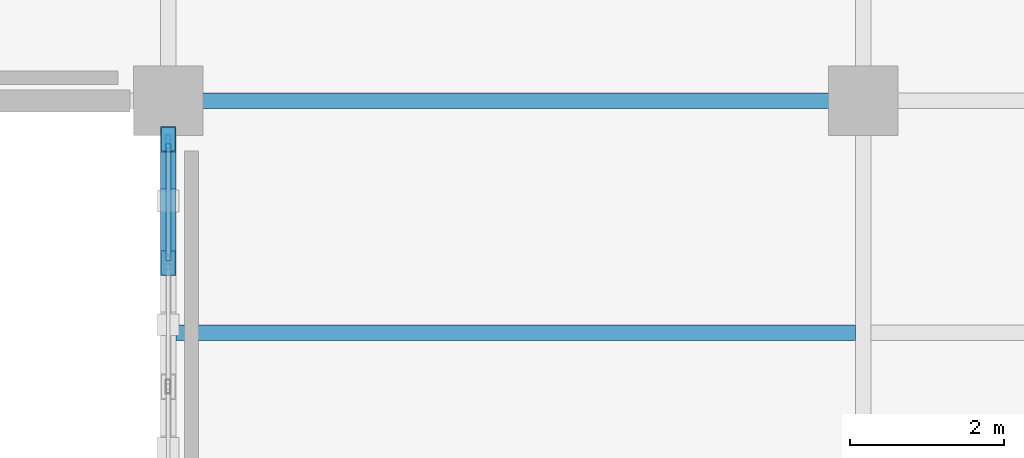
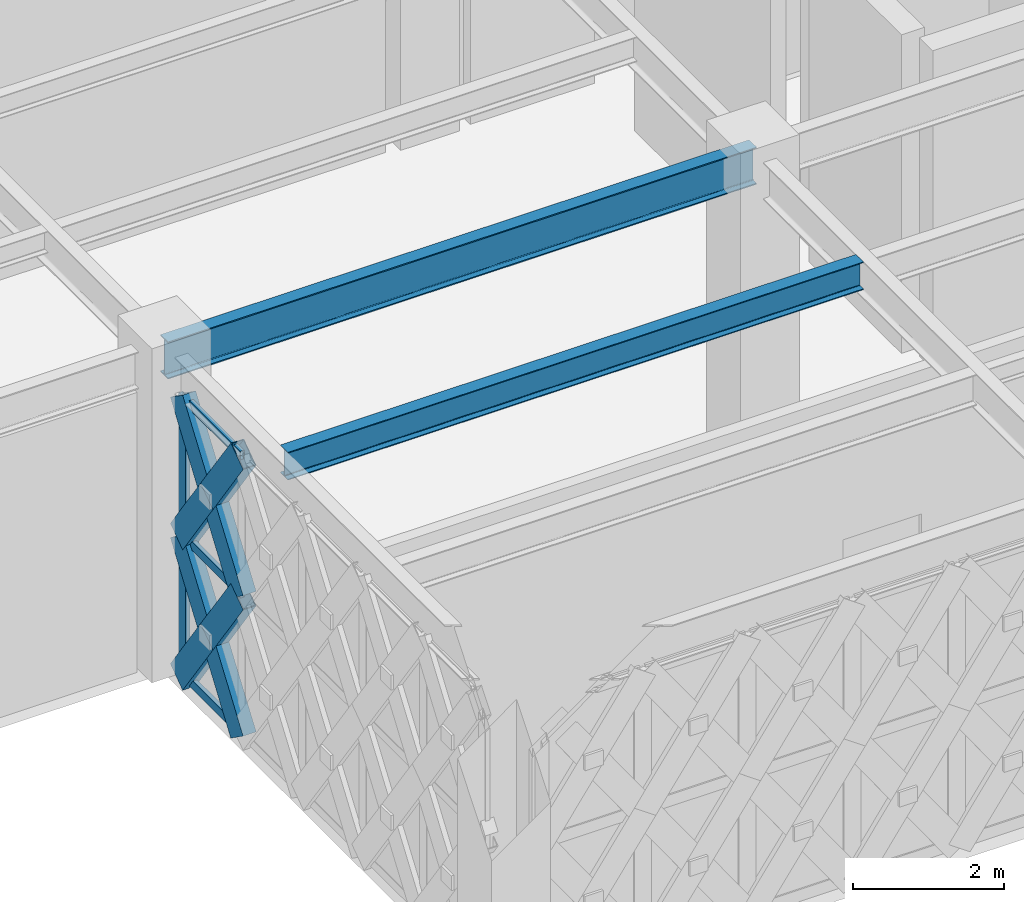
# One storey, part 13 of 166: 10 members, 2 beams, 1 element without a shape of its own.
"""IFC4 building model written with IfcOpenShell, lengths in metres."""

from ifc_helpers import new_model, si_unit, direction, frame, origin, origin_2d, place, context, subcontext, project, spatial, hollow_rectangle, i_section, extrude, material, material_profile, profile_set, type_object, element, aggregate, save


model = new_model("IFC4")

# Units and contexts
model_context = context("Model", 3, precision=1e-05, world=origin(), true_north=direction((0.0, 1.0)))
body_context = subcontext(model_context, "Body", "Model", "MODEL_VIEW")
ifc_project = project(units=[si_unit("LENGTHUNIT", "METRE"), si_unit("AREAUNIT", "SQUARE_METRE"), si_unit("VOLUMEUNIT", "CUBIC_METRE"), si_unit("PLANEANGLEUNIT", "RADIAN"), si_unit("MASSUNIT", "GRAM", prefix="KILO")], contexts=[model_context])

# Site, building, storey
site_placement = place(None, origin())
site = spatial("IfcSite", under=ifc_project, at=site_placement, CompositionType="ELEMENT")
building_placement = place(site_placement, origin())
building = spatial("IfcBuilding", under=site, at=building_placement, Name="Haizhuo Lancet Aquarium", CompositionType="ELEMENT")
storey_placement = place(building_placement, frame((0.0, 0.0, 5.39990234375)))
storey = spatial("IfcBuildingStorey", under=building, at=storey_placement, Name="L01", CompositionType="ELEMENT", Elevation=5.39990234375)

# Beam
ifc_material_1 = material(Name="Steel S355", Category="steel")
ifc_material_profile_1 = material_profile(ifc_material_1, i_section(OverallWidth=0.199951171875, OverallDepth=0.60009765625, WebThickness=0.010986328125, FlangeThickness=0.01708984375, FilletRadius=0.02197265625, at=origin_2d()), Name="HN 600x200x11x17")
ifc_profile_set_1 = profile_set([ifc_material_profile_1], Name="Steel S355")
beam_type_1 = type_object("IfcBeamType", Name="BM-ST-HN600", PredefinedType="BEAM", material=ifc_profile_set_1)
beam_1_placement = place(storey_placement, frame((-72.0, -18.0, 4.840087890625), z_axis=(1.0, 0.0, 0.0), x_axis=(0.0, 1.0, 0.0)))
element("IfcBeam", 1, at=beam_1_placement, inside=storey, type_object=beam_type_1, Name="L01 V6 primary girder BM-L01-V6-007", PredefinedType="BEAM", context=body_context, shape_type="SweptSolid", body=[
    extrude(i_section(OverallWidth=0.199951171875, OverallDepth=0.60009765625, WebThickness=0.010986328125, FlangeThickness=0.01708984375, FilletRadius=0.02197265625, at=origin_2d()), origin(), (0.0, 0.0, 1.0), 9.0),
])

# Curtain wall, members
ifc_material_2 = material(Name="Aluminium 6063-T6", Category="aluminium")
curtain_wall_type = type_object("IfcCurtainWallType", Name="CWD-8010x4540", PredefinedType="NOTDEFINED", material=ifc_material_2)
curtain_wall_placement = place(storey_placement, origin())
curtain_wall = element("IfcCurtainWall", 2, at=curtain_wall_placement, inside=storey, type_object=curtain_wall_type, Name="L01 curtain wall CW-V6-L01-211", PredefinedType="NOTDEFINED")
ifc_material_profile_2 = material_profile(ifc_material_2, hollow_rectangle(XDim=0.06494140625, YDim=0.179931640625, WallThickness=0.00390625, at=origin_2d()), Name="ALU-M 65x180x4")
ifc_profile_set_2 = profile_set([ifc_material_profile_2], Name="Aluminium 6063-T6")
member_type_1 = type_object("IfcMemberType", Name="CW-MUL-1", PredefinedType="MULLION", material=ifc_profile_set_2)
member_1_placement = place(storey_placement, frame((-72.0, -18.527099609375, 0.0), z_axis=(0.0, 0.0, 1.0), x_axis=(-1.0, 0.0, 0.0)))
member_1 = element("IfcMember", 3, at=member_1_placement, type_object=member_type_1, Name="CWD-80x45 mullion 6", PredefinedType="MULLION", context=body_context, shape_type="SweptSolid", body=[
    extrude(hollow_rectangle(XDim=0.06494140625, YDim=0.179931640625, WallThickness=0.00390625, at=origin_2d()), origin(), (0.0, 0.0, 1.0), 4.5400390625),
])
ifc_material_profile_3 = material_profile(ifc_material_2, hollow_rectangle(XDim=0.06494140625, YDim=0.139892578125, WallThickness=0.00390625, at=origin_2d()), Name="ALU-T 65x140x4")
ifc_profile_set_3 = profile_set([ifc_material_profile_3], Name="Aluminium 6063-T6")
member_type_2 = type_object("IfcMemberType", Name="CW-TRN-1", PredefinedType="NOTDEFINED", material=ifc_profile_set_3)
member_2_placement = place(storey_placement, frame((-72.0, -20.06494140625, 0.033203125), z_axis=(0.0, 1.0, 0.0), x_axis=(-1.0, 0.0, 0.0)))
member_2 = element("IfcMember", 4, at=member_2_placement, type_object=member_type_2, Name="CWD-80x45 transom 5.1", ObjectType="TRANSOM", PredefinedType="USERDEFINED", context=body_context, shape_type="SweptSolid", body=[
    extrude(hollow_rectangle(XDim=0.06494140625, YDim=0.139892578125, WallThickness=0.00390625, at=origin_2d()), origin(), (0.0, 0.0, 1.0), 1.5048828125),
])
member_3_placement = place(storey_placement, frame((-72.0, -20.06494140625, 2.27001953125), z_axis=(0.0, 1.0, 0.0), x_axis=(-1.0, 0.0, 0.0)))
member_3 = element("IfcMember", 5, at=member_3_placement, type_object=member_type_2, Name="CWD-80x45 transom 5.2", ObjectType="TRANSOM", PredefinedType="USERDEFINED", context=body_context, shape_type="SweptSolid", body=[
    extrude(hollow_rectangle(XDim=0.06494140625, YDim=0.139892578125, WallThickness=0.00390625, at=origin_2d()), origin(), (0.0, 0.0, 1.0), 1.5048828125),
])
member_4_placement = place(storey_placement, frame((-72.0, -20.06494140625, 4.507080078125), z_axis=(0.0, 1.0, 0.0), x_axis=(-1.0, 0.0, 0.0)))
member_4 = element("IfcMember", 6, at=member_4_placement, type_object=member_type_2, Name="CWD-80x45 transom 5.3", ObjectType="TRANSOM", PredefinedType="USERDEFINED", context=body_context, shape_type="SweptSolid", body=[
    extrude(hollow_rectangle(XDim=0.06494140625, YDim=0.139892578125, WallThickness=0.00390625, at=origin_2d()), origin(), (0.0, 0.0, 1.0), 1.5048828125),
])
aggregate(curtain_wall, [member_1, member_2, member_3, member_4])

# Beam
ifc_material_profile_4 = material_profile(ifc_material_1, i_section(OverallWidth=0.199951171875, OverallDepth=0.449951171875, WebThickness=0.009033203125, FlangeThickness=0.013916015625, FilletRadius=0.01806640625, at=origin_2d()), Name="HN 450x200x9x14")
ifc_profile_set_4 = profile_set([ifc_material_profile_4], Name="Steel S355")
beam_type_2 = type_object("IfcBeamType", Name="JST-ST-HN450", PredefinedType="JOIST", material=ifc_profile_set_4)
beam_2_placement = place(storey_placement, frame((-71.89990234375, -21.0, 4.9150390625), z_axis=(1.0, 0.0, 0.0), x_axis=(0.0, 1.0, 0.0)))
element("IfcBeam", 7, at=beam_2_placement, inside=storey, type_object=beam_type_2, Name="L01 V6 secondary floor joist 4", PredefinedType="JOIST", context=body_context, shape_type="SweptSolid", body=[
    extrude(i_section(OverallWidth=0.199951171875, OverallDepth=0.449951171875, WebThickness=0.009033203125, FlangeThickness=0.013916015625, FilletRadius=0.01806640625, at=origin_2d()), origin(), (0.0, 0.0, 1.0), 8.7998046875),
])

# Members
ifc_material_profile_5 = material_profile(ifc_material_1, hollow_rectangle(XDim=0.199951171875, YDim=0.39990234375, WallThickness=0.011962890625, at=origin_2d()), Name="RHS 200x400x12")
ifc_profile_set_5 = profile_set([ifc_material_profile_5], Name="Steel S355")
member_type_3 = type_object("IfcMemberType", Name="MEM-LB-RHS200x400", PredefinedType="BRACE", material=ifc_profile_set_5)
member_5_placement = place(storey_placement, frame((-72.0, -20.096923828125, 0.0), z_axis=(0.0, 0.576548637348, 0.81706283037), x_axis=(-1.0, 0.0, 0.0)))
element("IfcMember", 8, at=member_5_placement, inside=storey, type_object=member_type_3, Name="Gothic lancet continuous diagonal brace CW-V6-L01-211 9A", PredefinedType="BRACE", context=body_context, shape_type="SweptSolid", body=[
    extrude(hollow_rectangle(XDim=0.199951171875, YDim=0.39990234375, WallThickness=0.011962890625, at=origin_2d()), origin(), (0.0, 0.0, 1.0), 2.7783203125),
])
for number, where, z_axis, x_axis, name in (
    (9, (-72.0, -18.4951171875, 0.0), (0.0, -0.576489968194, 0.81710422626), (1.0, 0.0, 0.0), "Gothic lancet split diagonal brace CW-V6-L01-211 9B1"),
    (10, (-72.0, -19.2958984375, 1.135009765625), (0.0, -0.576607297585, 0.817021434463), (1.0, 0.0, 0.0), "Gothic lancet split diagonal brace CW-V6-L01-211 9B2"),
):
    element("IfcMember", number, at=place(storey_placement, frame(where, z_axis=z_axis, x_axis=x_axis)), inside=storey, type_object=member_type_3, Name=name, PredefinedType="BRACE", context=body_context, shape_type="SweptSolid", body=[
        extrude(hollow_rectangle(XDim=0.199951171875, YDim=0.39990234375, WallThickness=0.011962890625, at=origin_2d()), origin(), (0.0, 0.0, 1.0), 1.38916015625),
    ])
member_6_placement = place(storey_placement, frame((-72.0, -20.096923828125, 2.27001953125), z_axis=(0.0, 0.576548637348, 0.81706283037), x_axis=(-1.0, 0.0, 0.0)))
element("IfcMember", 11, at=member_6_placement, inside=storey, type_object=member_type_3, Name="Gothic lancet continuous diagonal brace CW-V6-L01-211 10A", PredefinedType="BRACE", context=body_context, shape_type="SweptSolid", body=[
    extrude(hollow_rectangle(XDim=0.199951171875, YDim=0.39990234375, WallThickness=0.011962890625, at=origin_2d()), origin(), (0.0, 0.0, 1.0), 2.7783203125),
])
for number, where, z_axis, x_axis, name in (
    (12, (-72.0, -18.4951171875, 2.27001953125), (0.0, -0.576489968194, 0.81710422626), (1.0, 0.0, 0.0), "Gothic lancet split diagonal brace CW-V6-L01-211 10B1"),
    (13, (-72.0, -19.2958984375, 3.405029296875), (0.0, -0.576607297585, 0.817021434463), (1.0, 0.0, 0.0), "Gothic lancet split diagonal brace CW-V6-L01-211 10B2"),
):
    element("IfcMember", number, at=place(storey_placement, frame(where, z_axis=z_axis, x_axis=x_axis)), inside=storey, type_object=member_type_3, Name=name, PredefinedType="BRACE", context=body_context, shape_type="SweptSolid", body=[
        extrude(hollow_rectangle(XDim=0.199951171875, YDim=0.39990234375, WallThickness=0.011962890625, at=origin_2d()), origin(), (0.0, 0.0, 1.0), 1.38916015625),
    ])

save(model, "model.ifc")
